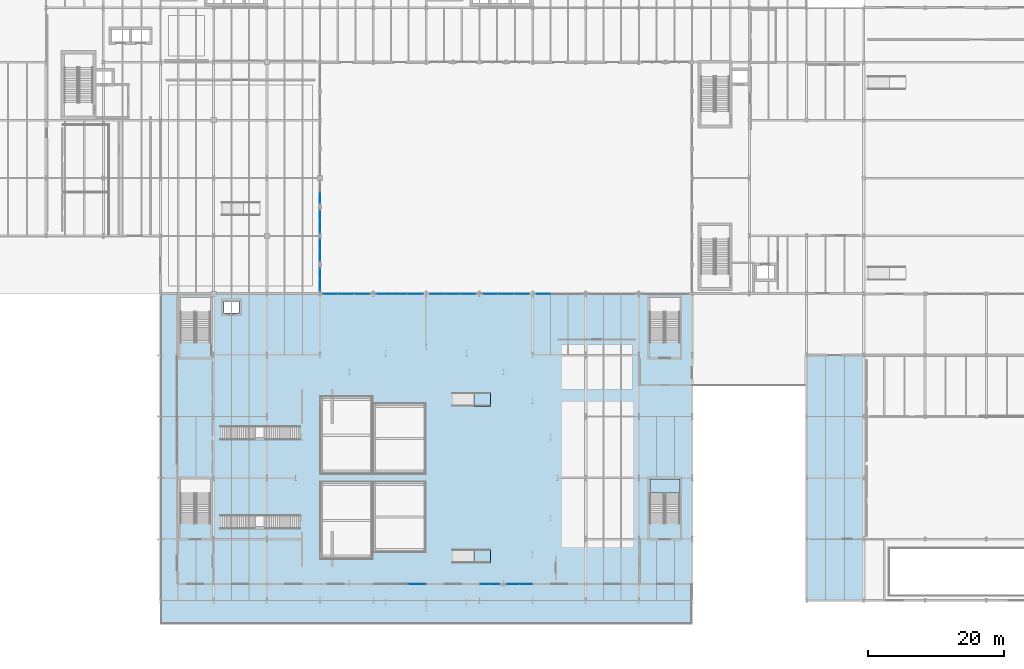
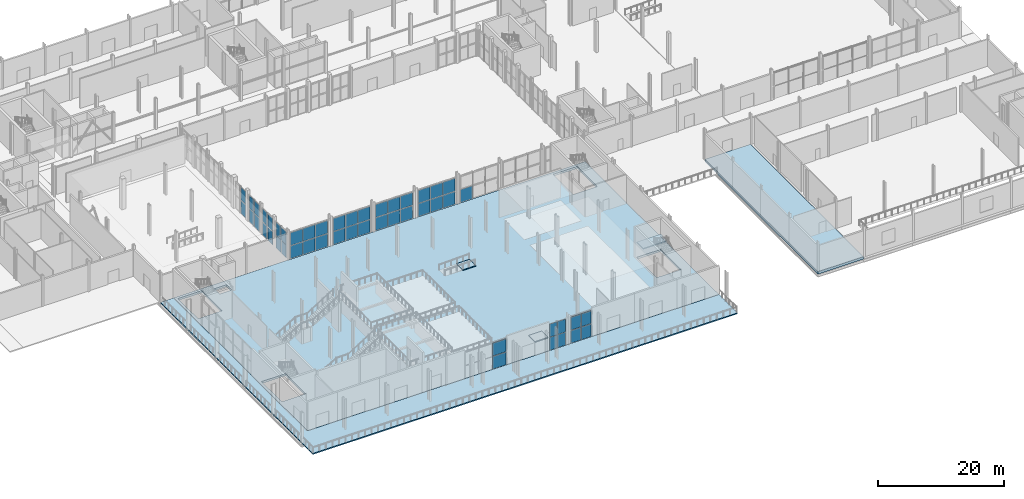
# One storey, part 46 of 84: 49 plates, 6 slabs, 15 elements without a shape of their own.
"""IFC4 building model written with IfcOpenShell, lengths in metres."""

from ifc_helpers import new_model, si_unit, direction, frame, origin, origin_2d, place, context, subcontext, project, spatial, polyline, rectangle, outline, extrude, material, layer, layer_set, type_object, element, aggregate, save


model = new_model("IFC4")

# Units and contexts
model_context = context("Model", 3, precision=1e-05, world=origin(), true_north=direction((0.0, 1.0)))
body_context = subcontext(model_context, "Body", "Model", "MODEL_VIEW")
ifc_project = project(units=[si_unit("LENGTHUNIT", "METRE"), si_unit("AREAUNIT", "SQUARE_METRE"), si_unit("VOLUMEUNIT", "CUBIC_METRE"), si_unit("PLANEANGLEUNIT", "RADIAN"), si_unit("MASSUNIT", "GRAM", prefix="KILO")], contexts=[model_context])

# Site, building, storey
site_placement = place(None, origin())
site = spatial("IfcSite", under=ifc_project, at=site_placement, CompositionType="ELEMENT")
building_placement = place(site_placement, origin())
building = spatial("IfcBuilding", under=site, at=building_placement, Name="Sefraquen Railside Congress Hotel", CompositionType="ELEMENT")
storey_placement = place(building_placement, origin())
storey = spatial("IfcBuildingStorey", under=building, at=storey_placement, Name="L00", CompositionType="ELEMENT", Elevation=0.0)

# Curtain wall, plate
ifc_material_1 = material(Name="Thermally broken anodised aluminium and low-E double glazing", Category="aluminium")
ifc_layer_1 = layer(ifc_material_1, 0.199951171875)
ifc_layer_set_1 = layer_set([ifc_layer_1], Name="Thermally broken anodised aluminium and low-E double glazing")
curtain_wall_type_1 = type_object("IfcCurtainWallType", Name="TCW-UCW-01", PredefinedType="USERDEFINED", material=ifc_layer_set_1)
curtain_wall_1_placement = place(storey_placement, origin())
curtain_wall_1 = element("IfcCurtainWall", 1, at=curtain_wall_1_placement, inside=storey, type_object=curtain_wall_type_1, Name="Congress arcade curtain wall UCW-01", ObjectType="UNITISED CURTAIN WALL", PredefinedType="USERDEFINED")
ifc_material_2 = material(Name="Solar-control low-E double glazing", Category="glass")
ifc_layer_2 = layer(ifc_material_2, 0.02392578125)
ifc_layer_set_2 = layer_set([ifc_layer_2], Name="Solar-control low-E double glazing")
plate_type_1 = type_object("IfcPlateType", Name="TP-CWP-01", PredefinedType="CURTAIN_PANEL", material=ifc_layer_set_2)
plate_1_placement = place(storey_placement, frame((62.873291015625, 11.39990234375, 0.0400390625), z_axis=(0.0, 0.0, 1.0), x_axis=(1.0, 0.0, 0.0)))
plate_1 = element("IfcPlate", 2, at=plate_1_placement, type_object=plate_type_1, Name="CW-L00-001 panel 1.3", PredefinedType="CURTAIN_PANEL", context=body_context, shape_type="SweptSolid", body=[
    extrude(rectangle(XDim=2.4833984375, YDim=0.02392578125, at=origin_2d()), origin(), (0.0, 0.0, 1.0), 2.4951171875),
])

# Curtain wall, plates
ifc_layer_3 = layer(ifc_material_1, 0.199951171875)
ifc_layer_set_3 = layer_set([ifc_layer_3], Name="Thermally broken anodised aluminium and low-E double glazing")
curtain_wall_type_2 = type_object("IfcCurtainWallType", Name="TCW-UCW-02", PredefinedType="USERDEFINED", material=ifc_layer_set_3)
curtain_wall_2_placement = place(storey_placement, origin())
curtain_wall_2 = element("IfcCurtainWall", 3, at=curtain_wall_2_placement, inside=storey, type_object=curtain_wall_type_2, Name="Congress arcade curtain wall UCW-02", ObjectType="UNITISED CURTAIN WALL", PredefinedType="USERDEFINED")
plate_2_placement = place(storey_placement, frame((72.781494140625, 11.39990234375, 0.0400390625), z_axis=(0.0, 0.0, 1.0), x_axis=(1.0, 0.0, 0.0)))
plate_2 = element("IfcPlate", 4, at=plate_2_placement, type_object=plate_type_1, Name="CW-L00-002 panel 1.1", PredefinedType="CURTAIN_PANEL", context=body_context, shape_type="SweptSolid", body=[
    extrude(rectangle(XDim=1.392578125, YDim=0.02392578125, at=origin_2d()), origin(), (0.0, 0.0, 1.0), 2.4951171875),
])
plate_3_placement = place(storey_placement, frame((74.26416015625, 11.39990234375, 0.0400390625), z_axis=(0.0, 0.0, 1.0), x_axis=(1.0, 0.0, 0.0)))
plate_3 = element("IfcPlate", 5, at=plate_3_placement, type_object=plate_type_1, Name="CW-L00-002 panel 1.2", PredefinedType="CURTAIN_PANEL", context=body_context, shape_type="SweptSolid", body=[
    extrude(rectangle(XDim=1.392578125, YDim=0.02392578125, at=origin_2d()), origin(), (0.0, 0.0, 1.0), 2.4951171875),
])

curtain_wall_3_placement = place(storey_placement, origin())
curtain_wall_3 = element("IfcCurtainWall", 6, at=curtain_wall_3_placement, inside=storey, type_object=curtain_wall_type_2, Name="Congress arcade curtain wall UCW-02 bay 2", ObjectType="UNITISED CURTAIN WALL", PredefinedType="USERDEFINED")
plate_4_placement = place(storey_placement, frame((76.9140625, 11.39990234375, 0.0400390625), z_axis=(0.0, 0.0, 1.0), x_axis=(1.0, 0.0, 0.0)))
plate_4 = element("IfcPlate", 7, at=plate_4_placement, type_object=plate_type_1, Name="CW-L00-002-S2 panel 1.1", PredefinedType="CURTAIN_PANEL", context=body_context, shape_type="SweptSolid", body=[
    extrude(rectangle(XDim=1.80712890625, YDim=0.02392578125, at=origin_2d()), origin(), (0.0, 0.0, 1.0), 2.4951171875),
])
plate_5_placement = place(storey_placement, frame((78.811279296875, 11.39990234375, 0.0400390625), z_axis=(0.0, 0.0, 1.0), x_axis=(1.0, 0.0, 0.0)))
plate_5 = element("IfcPlate", 8, at=plate_5_placement, type_object=plate_type_1, Name="CW-L00-002-S2 panel 1.2", PredefinedType="CURTAIN_PANEL", context=body_context, shape_type="SweptSolid", body=[
    extrude(rectangle(XDim=1.80712890625, YDim=0.02392578125, at=origin_2d()), origin(), (0.0, 0.0, 1.0), 2.4951171875),
])

ifc_layer_4 = layer(ifc_material_1, 0.199951171875)
ifc_layer_set_4 = layer_set([ifc_layer_4], Name="Thermally broken anodised aluminium and low-E double glazing")
curtain_wall_type_3 = type_object("IfcCurtainWallType", Name="TCW-UCW-06", PredefinedType="USERDEFINED", material=ifc_layer_set_4)
curtain_wall_4_placement = place(storey_placement, origin())
curtain_wall_4 = element("IfcCurtainWall", 9, at=curtain_wall_4_placement, inside=storey, type_object=curtain_wall_type_3, Name="Congress courtyard north curtain wall L00-1", ObjectType="UNITISED CURTAIN WALL", PredefinedType="USERDEFINED")
plate_6_placement = place(storey_placement, frame((50.186767578125, 54.0, 0.0400390625), z_axis=(0.0, 0.0, 1.0), x_axis=(1.0, 0.0, 0.0)))
plate_6 = element("IfcPlate", 10, at=plate_6_placement, type_object=plate_type_1, Name="CW-L00-006 panel 1.1", PredefinedType="CURTAIN_PANEL", context=body_context, shape_type="SweptSolid", body=[
    extrude(rectangle(XDim=2.203369140625, YDim=0.02392578125, at=origin_2d()), origin(), (0.0, 0.0, 1.0), 2.4951171875),
])
plate_7_placement = place(storey_placement, frame((52.47998046875, 54.0, 0.0400390625), z_axis=(0.0, 0.0, 1.0), x_axis=(1.0, 0.0, 0.0)))
plate_7 = element("IfcPlate", 11, at=plate_7_placement, type_object=plate_type_1, Name="CW-L00-006 panel 1.2", PredefinedType="CURTAIN_PANEL", context=body_context, shape_type="SweptSolid", body=[
    extrude(rectangle(XDim=2.203369140625, YDim=0.02392578125, at=origin_2d()), origin(), (0.0, 0.0, 1.0), 2.4951171875),
])
plate_8_placement = place(storey_placement, frame((54.773193359375, 54.0, 0.0400390625), z_axis=(0.0, 0.0, 1.0), x_axis=(1.0, 0.0, 0.0)))
plate_8 = element("IfcPlate", 12, at=plate_8_placement, type_object=plate_type_1, Name="CW-L00-006 panel 1.3", PredefinedType="CURTAIN_PANEL", context=body_context, shape_type="SweptSolid", body=[
    extrude(rectangle(XDim=2.203369140625, YDim=0.02392578125, at=origin_2d()), origin(), (0.0, 0.0, 1.0), 2.4951171875),
])

curtain_wall_5_placement = place(storey_placement, origin())
curtain_wall_5 = element("IfcCurtainWall", 13, at=curtain_wall_5_placement, inside=storey, type_object=curtain_wall_type_3, Name="Congress courtyard north curtain wall L00-1 bay 2", ObjectType="UNITISED CURTAIN WALL", PredefinedType="USERDEFINED")
plate_9_placement = place(storey_placement, frame((58.026611328125, 54.0, 0.0400390625), z_axis=(0.0, 0.0, 1.0), x_axis=(1.0, 0.0, 0.0)))
plate_9 = element("IfcPlate", 14, at=plate_9_placement, type_object=plate_type_1, Name="CW-L00-006-S2 panel 1.1", PredefinedType="CURTAIN_PANEL", context=body_context, shape_type="SweptSolid", body=[
    extrude(rectangle(XDim=2.203369140625, YDim=0.02392578125, at=origin_2d()), origin(), (0.0, 0.0, 1.0), 2.4951171875),
])
plate_10_placement = place(storey_placement, frame((60.320068359375, 54.0, 0.0400390625), z_axis=(0.0, 0.0, 1.0), x_axis=(1.0, 0.0, 0.0)))
plate_10 = element("IfcPlate", 15, at=plate_10_placement, type_object=plate_type_1, Name="CW-L00-006-S2 panel 1.2", PredefinedType="CURTAIN_PANEL", context=body_context, shape_type="SweptSolid", body=[
    extrude(rectangle(XDim=2.203369140625, YDim=0.02392578125, at=origin_2d()), origin(), (0.0, 0.0, 1.0), 2.4951171875),
])
plate_11_placement = place(storey_placement, frame((62.61328125, 54.0, 0.0400390625), z_axis=(0.0, 0.0, 1.0), x_axis=(1.0, 0.0, 0.0)))
plate_11 = element("IfcPlate", 16, at=plate_11_placement, type_object=plate_type_1, Name="CW-L00-006-S2 panel 1.3", PredefinedType="CURTAIN_PANEL", context=body_context, shape_type="SweptSolid", body=[
    extrude(rectangle(XDim=2.203369140625, YDim=0.02392578125, at=origin_2d()), origin(), (0.0, 0.0, 1.0), 2.4951171875),
])

ifc_layer_5 = layer(ifc_material_1, 0.199951171875)
ifc_layer_set_5 = layer_set([ifc_layer_5], Name="Thermally broken anodised aluminium and low-E double glazing")
curtain_wall_type_4 = type_object("IfcCurtainWallType", Name="TCW-UCW-07", PredefinedType="USERDEFINED", material=ifc_layer_set_5)
curtain_wall_6_placement = place(storey_placement, origin())
curtain_wall_6 = element("IfcCurtainWall", 17, at=curtain_wall_6_placement, inside=storey, type_object=curtain_wall_type_4, Name="Congress courtyard north curtain wall L00-2", ObjectType="UNITISED CURTAIN WALL", PredefinedType="USERDEFINED")
plate_12_placement = place(storey_placement, frame((65.78662109375, 54.0, 0.0400390625), z_axis=(0.0, 0.0, 1.0), x_axis=(1.0, 0.0, 0.0)))
plate_12 = element("IfcPlate", 18, at=plate_12_placement, type_object=plate_type_1, Name="CW-L00-007 panel 1.1", PredefinedType="CURTAIN_PANEL", context=body_context, shape_type="SweptSolid", body=[
    extrude(rectangle(XDim=2.203369140625, YDim=0.02392578125, at=origin_2d()), origin(), (0.0, 0.0, 1.0), 2.4951171875),
])
plate_13_placement = place(storey_placement, frame((68.080078125, 54.0, 0.0400390625), z_axis=(0.0, 0.0, 1.0), x_axis=(1.0, 0.0, 0.0)))
plate_13 = element("IfcPlate", 19, at=plate_13_placement, type_object=plate_type_1, Name="CW-L00-007 panel 1.2", PredefinedType="CURTAIN_PANEL", context=body_context, shape_type="SweptSolid", body=[
    extrude(rectangle(XDim=2.203369140625, YDim=0.02392578125, at=origin_2d()), origin(), (0.0, 0.0, 1.0), 2.4951171875),
])
plate_14_placement = place(storey_placement, frame((70.373291015625, 54.0, 0.0400390625), z_axis=(0.0, 0.0, 1.0), x_axis=(1.0, 0.0, 0.0)))
plate_14 = element("IfcPlate", 20, at=plate_14_placement, type_object=plate_type_1, Name="CW-L00-007 panel 1.3", PredefinedType="CURTAIN_PANEL", context=body_context, shape_type="SweptSolid", body=[
    extrude(rectangle(XDim=2.203369140625, YDim=0.02392578125, at=origin_2d()), origin(), (0.0, 0.0, 1.0), 2.4951171875),
])

curtain_wall_7_placement = place(storey_placement, origin())
curtain_wall_7 = element("IfcCurtainWall", 21, at=curtain_wall_7_placement, inside=storey, type_object=curtain_wall_type_4, Name="Congress courtyard north curtain wall L00-2 bay 2", ObjectType="UNITISED CURTAIN WALL", PredefinedType="USERDEFINED")
plate_15_placement = place(storey_placement, frame((73.626708984375, 54.0, 0.0400390625), z_axis=(0.0, 0.0, 1.0), x_axis=(1.0, 0.0, 0.0)))
plate_15 = element("IfcPlate", 22, at=plate_15_placement, type_object=plate_type_1, Name="CW-L00-007-S2 panel 1.1", PredefinedType="CURTAIN_PANEL", context=body_context, shape_type="SweptSolid", body=[
    extrude(rectangle(XDim=2.203369140625, YDim=0.02392578125, at=origin_2d()), origin(), (0.0, 0.0, 1.0), 2.4951171875),
])
plate_16_placement = place(storey_placement, frame((75.919921875, 54.0, 0.0400390625), z_axis=(0.0, 0.0, 1.0), x_axis=(1.0, 0.0, 0.0)))
plate_16 = element("IfcPlate", 23, at=plate_16_placement, type_object=plate_type_1, Name="CW-L00-007-S2 panel 1.2", PredefinedType="CURTAIN_PANEL", context=body_context, shape_type="SweptSolid", body=[
    extrude(rectangle(XDim=2.203369140625, YDim=0.02392578125, at=origin_2d()), origin(), (0.0, 0.0, 1.0), 2.4951171875),
])
plate_17_placement = place(storey_placement, frame((78.21337890625, 54.0, 0.0400390625), z_axis=(0.0, 0.0, 1.0), x_axis=(1.0, 0.0, 0.0)))
plate_17 = element("IfcPlate", 24, at=plate_17_placement, type_object=plate_type_1, Name="CW-L00-007-S2 panel 1.3", PredefinedType="CURTAIN_PANEL", context=body_context, shape_type="SweptSolid", body=[
    extrude(rectangle(XDim=2.203369140625, YDim=0.02392578125, at=origin_2d()), origin(), (0.0, 0.0, 1.0), 2.4951171875),
])

# Curtain wall, plate
ifc_layer_6 = layer(ifc_material_1, 0.199951171875)
ifc_layer_set_6 = layer_set([ifc_layer_6], Name="Thermally broken anodised aluminium and low-E double glazing")
curtain_wall_type_5 = type_object("IfcCurtainWallType", Name="TCW-UCW-08", PredefinedType="USERDEFINED", material=ifc_layer_set_6)
curtain_wall_8_placement = place(storey_placement, origin())
curtain_wall_8 = element("IfcCurtainWall", 25, at=curtain_wall_8_placement, inside=storey, type_object=curtain_wall_type_5, Name="Congress courtyard north curtain wall L00-3", ObjectType="UNITISED CURTAIN WALL", PredefinedType="USERDEFINED")
plate_18_placement = place(storey_placement, frame((81.38671875, 54.0, 0.0400390625), z_axis=(0.0, 0.0, 1.0), x_axis=(1.0, 0.0, 0.0)))
plate_18 = element("IfcPlate", 26, at=plate_18_placement, type_object=plate_type_1, Name="CW-L00-008 panel 1.1", PredefinedType="CURTAIN_PANEL", context=body_context, shape_type="SweptSolid", body=[
    extrude(rectangle(XDim=2.203369140625, YDim=0.02392578125, at=origin_2d()), origin(), (0.0, 0.0, 1.0), 2.4951171875),
])
aggregate(curtain_wall_8, [plate_18])

# Curtain wall, plates
ifc_layer_7 = layer(ifc_material_1, 0.199951171875)
ifc_layer_set_7 = layer_set([ifc_layer_7], Name="Thermally broken anodised aluminium and low-E double glazing")
curtain_wall_type_6 = type_object("IfcCurtainWallType", Name="TCW-UCW-15", PredefinedType="USERDEFINED", material=ifc_layer_set_7)
curtain_wall_9_placement = place(storey_placement, origin())
curtain_wall_9 = element("IfcCurtainWall", 27, at=curtain_wall_9_placement, inside=storey, type_object=curtain_wall_type_6, Name="Courtyard west arcade curtain wall UCW-15", ObjectType="UNITISED CURTAIN WALL", PredefinedType="USERDEFINED")
plate_19_placement = place(storey_placement, frame((48.60009765625, 55.2724609375, 0.0400390625), z_axis=(0.0, 0.0, 1.0), x_axis=(0.0, 1.0, 0.0)))
plate_19 = element("IfcPlate", 28, at=plate_19_placement, type_object=plate_type_1, Name="CW-L00-015 panel 1.1", PredefinedType="CURTAIN_PANEL", context=body_context, shape_type="SweptSolid", body=[
    extrude(rectangle(XDim=1.574951171875, YDim=0.02392578125, at=origin_2d()), origin(), (0.0, 0.0, 1.0), 2.4951171875),
])
plate_20_placement = place(storey_placement, frame((48.60009765625, 56.9375, 0.0400390625), z_axis=(0.0, 0.0, 1.0), x_axis=(0.0, 1.0, 0.0)))
plate_20 = element("IfcPlate", 29, at=plate_20_placement, type_object=plate_type_1, Name="CW-L00-015 panel 1.2", PredefinedType="CURTAIN_PANEL", context=body_context, shape_type="SweptSolid", body=[
    extrude(rectangle(XDim=1.574951171875, YDim=0.02392578125, at=origin_2d()), origin(), (0.0, 0.0, 1.0), 2.4951171875),
])

curtain_wall_10_placement = place(storey_placement, origin())
curtain_wall_10 = element("IfcCurtainWall", 30, at=curtain_wall_10_placement, inside=storey, type_object=curtain_wall_type_6, Name="Courtyard west arcade curtain wall UCW-15 bay 2", ObjectType="UNITISED CURTAIN WALL", PredefinedType="USERDEFINED")
plate_21_placement = place(storey_placement, frame((48.60009765625, 59.5625, 0.0400390625), z_axis=(0.0, 0.0, 1.0), x_axis=(0.0, 1.0, 0.0)))
plate_21 = element("IfcPlate", 31, at=plate_21_placement, type_object=plate_type_1, Name="CW-L00-015-S2 panel 1.1", PredefinedType="CURTAIN_PANEL", context=body_context, shape_type="SweptSolid", body=[
    extrude(rectangle(XDim=1.574951171875, YDim=0.02392578125, at=origin_2d()), origin(), (0.0, 0.0, 1.0), 2.4951171875),
])
plate_22_placement = place(storey_placement, frame((48.60009765625, 61.2275390625, 0.0400390625), z_axis=(0.0, 0.0, 1.0), x_axis=(0.0, 1.0, 0.0)))
plate_22 = element("IfcPlate", 32, at=plate_22_placement, type_object=plate_type_1, Name="CW-L00-015-S2 panel 1.2", PredefinedType="CURTAIN_PANEL", context=body_context, shape_type="SweptSolid", body=[
    extrude(rectangle(XDim=1.574951171875, YDim=0.02392578125, at=origin_2d()), origin(), (0.0, 0.0, 1.0), 2.4951171875),
])

ifc_layer_8 = layer(ifc_material_1, 0.199951171875)
ifc_layer_set_8 = layer_set([ifc_layer_8], Name="Thermally broken anodised aluminium and low-E double glazing")
curtain_wall_type_7 = type_object("IfcCurtainWallType", Name="TCW-UCW-17", PredefinedType="USERDEFINED", material=ifc_layer_set_8)
curtain_wall_11_placement = place(storey_placement, origin())
curtain_wall_11 = element("IfcCurtainWall", 33, at=curtain_wall_11_placement, inside=storey, type_object=curtain_wall_type_7, Name="Courtyard west arcade curtain wall UCW-17", ObjectType="UNITISED CURTAIN WALL", PredefinedType="USERDEFINED")
plate_23_placement = place(storey_placement, frame((48.60009765625, 63.7724609375, 0.0400390625), z_axis=(0.0, 0.0, 1.0), x_axis=(0.0, 1.0, 0.0)))
plate_23 = element("IfcPlate", 34, at=plate_23_placement, type_object=plate_type_1, Name="CW-L00-017 panel 1.1", PredefinedType="CURTAIN_PANEL", context=body_context, shape_type="SweptSolid", body=[
    extrude(rectangle(XDim=1.574951171875, YDim=0.02392578125, at=origin_2d()), origin(), (0.0, 0.0, 1.0), 2.4951171875),
])
plate_24_placement = place(storey_placement, frame((48.60009765625, 65.4375, 0.0400390625), z_axis=(0.0, 0.0, 1.0), x_axis=(0.0, 1.0, 0.0)))
plate_24 = element("IfcPlate", 35, at=plate_24_placement, type_object=plate_type_1, Name="CW-L00-017 panel 1.2", PredefinedType="CURTAIN_PANEL", context=body_context, shape_type="SweptSolid", body=[
    extrude(rectangle(XDim=1.574951171875, YDim=0.02392578125, at=origin_2d()), origin(), (0.0, 0.0, 1.0), 2.4951171875),
])

# Curtain wall, plate
curtain_wall_12_placement = place(storey_placement, origin())
curtain_wall_12 = element("IfcCurtainWall", 36, at=curtain_wall_12_placement, inside=storey, type_object=curtain_wall_type_7, Name="Courtyard west arcade curtain wall UCW-17 bay 2", ObjectType="UNITISED CURTAIN WALL", PredefinedType="USERDEFINED")
plate_25_placement = place(storey_placement, frame((48.60009765625, 68.0625, 0.0400390625), z_axis=(0.0, 0.0, 1.0), x_axis=(0.0, 1.0, 0.0)))
plate_25 = element("IfcPlate", 37, at=plate_25_placement, type_object=plate_type_1, Name="CW-L00-017-S2 panel 1.1", PredefinedType="CURTAIN_PANEL", context=body_context, shape_type="SweptSolid", body=[
    extrude(rectangle(XDim=1.574951171875, YDim=0.02392578125, at=origin_2d()), origin(), (0.0, 0.0, 1.0), 2.4951171875),
])

# Plate
ifc_material_3 = material(Name="Triple acoustic solar-control glazing", Category="glass")
ifc_layer_9 = layer(ifc_material_3, 0.031982421875)
ifc_layer_set_9 = layer_set([ifc_layer_9], Name="Triple acoustic solar-control glazing")
plate_type_2 = type_object("IfcPlateType", Name="TP-CWP-02", PredefinedType="CURTAIN_PANEL", material=ifc_layer_set_9)
plate_26_placement = place(storey_placement, frame((62.873291015625, 11.39990234375, 2.614990234375), z_axis=(0.0, 0.0, 1.0), x_axis=(1.0, 0.0, 0.0)))
plate_26 = element("IfcPlate", 38, at=plate_26_placement, type_object=plate_type_2, Name="CW-L00-001 panel 2.3", PredefinedType="CURTAIN_PANEL", context=body_context, shape_type="SweptSolid", body=[
    extrude(rectangle(XDim=2.4833984375, YDim=0.031982421875, at=origin_2d()), origin(), (0.0, 0.0, 1.0), 2.4951171875),
])

aggregate(curtain_wall_1, [plate_1, plate_26])

plate_27_placement = place(storey_placement, frame((72.781494140625, 11.39990234375, 2.614990234375), z_axis=(0.0, 0.0, 1.0), x_axis=(1.0, 0.0, 0.0)))
plate_27 = element("IfcPlate", 39, at=plate_27_placement, type_object=plate_type_2, Name="CW-L00-002 panel 2.1", PredefinedType="CURTAIN_PANEL", context=body_context, shape_type="SweptSolid", body=[
    extrude(rectangle(XDim=1.392578125, YDim=0.031982421875, at=origin_2d()), origin(), (0.0, 0.0, 1.0), 2.4951171875),
])

plate_28_placement = place(storey_placement, frame((74.26416015625, 11.39990234375, 2.614990234375), z_axis=(0.0, 0.0, 1.0), x_axis=(1.0, 0.0, 0.0)))
plate_28 = element("IfcPlate", 40, at=plate_28_placement, type_object=plate_type_2, Name="CW-L00-002 panel 2.2", PredefinedType="CURTAIN_PANEL", context=body_context, shape_type="SweptSolid", body=[
    extrude(rectangle(XDim=1.392578125, YDim=0.031982421875, at=origin_2d()), origin(), (0.0, 0.0, 1.0), 2.4951171875),
])

aggregate(curtain_wall_2, [plate_2, plate_3, plate_27, plate_28])

plate_29_placement = place(storey_placement, frame((76.9140625, 11.39990234375, 2.614990234375), z_axis=(0.0, 0.0, 1.0), x_axis=(1.0, 0.0, 0.0)))
plate_29 = element("IfcPlate", 41, at=plate_29_placement, type_object=plate_type_2, Name="CW-L00-002-S2 panel 2.1", PredefinedType="CURTAIN_PANEL", context=body_context, shape_type="SweptSolid", body=[
    extrude(rectangle(XDim=1.80712890625, YDim=0.031982421875, at=origin_2d()), origin(), (0.0, 0.0, 1.0), 2.4951171875),
])

plate_30_placement = place(storey_placement, frame((78.811279296875, 11.39990234375, 2.614990234375), z_axis=(0.0, 0.0, 1.0), x_axis=(1.0, 0.0, 0.0)))
plate_30 = element("IfcPlate", 42, at=plate_30_placement, type_object=plate_type_2, Name="CW-L00-002-S2 panel 2.2", PredefinedType="CURTAIN_PANEL", context=body_context, shape_type="SweptSolid", body=[
    extrude(rectangle(XDim=1.80712890625, YDim=0.031982421875, at=origin_2d()), origin(), (0.0, 0.0, 1.0), 2.4951171875),
])

aggregate(curtain_wall_3, [plate_4, plate_5, plate_29, plate_30])

plate_31_placement = place(storey_placement, frame((50.186767578125, 54.0, 2.614990234375), z_axis=(0.0, 0.0, 1.0), x_axis=(1.0, 0.0, 0.0)))
plate_31 = element("IfcPlate", 43, at=plate_31_placement, type_object=plate_type_2, Name="CW-L00-006 panel 2.1", PredefinedType="CURTAIN_PANEL", context=body_context, shape_type="SweptSolid", body=[
    extrude(rectangle(XDim=2.203369140625, YDim=0.031982421875, at=origin_2d()), origin(), (0.0, 0.0, 1.0), 2.4951171875),
])

plate_32_placement = place(storey_placement, frame((52.47998046875, 54.0, 2.614990234375), z_axis=(0.0, 0.0, 1.0), x_axis=(1.0, 0.0, 0.0)))
plate_32 = element("IfcPlate", 44, at=plate_32_placement, type_object=plate_type_2, Name="CW-L00-006 panel 2.2", PredefinedType="CURTAIN_PANEL", context=body_context, shape_type="SweptSolid", body=[
    extrude(rectangle(XDim=2.203369140625, YDim=0.031982421875, at=origin_2d()), origin(), (0.0, 0.0, 1.0), 2.4951171875),
])

plate_33_placement = place(storey_placement, frame((54.773193359375, 54.0, 2.614990234375), z_axis=(0.0, 0.0, 1.0), x_axis=(1.0, 0.0, 0.0)))
plate_33 = element("IfcPlate", 45, at=plate_33_placement, type_object=plate_type_2, Name="CW-L00-006 panel 2.3", PredefinedType="CURTAIN_PANEL", context=body_context, shape_type="SweptSolid", body=[
    extrude(rectangle(XDim=2.203369140625, YDim=0.031982421875, at=origin_2d()), origin(), (0.0, 0.0, 1.0), 2.4951171875),
])

aggregate(curtain_wall_4, [plate_6, plate_7, plate_8, plate_31, plate_32, plate_33])

plate_34_placement = place(storey_placement, frame((58.026611328125, 54.0, 2.614990234375), z_axis=(0.0, 0.0, 1.0), x_axis=(1.0, 0.0, 0.0)))
plate_34 = element("IfcPlate", 46, at=plate_34_placement, type_object=plate_type_2, Name="CW-L00-006-S2 panel 2.1", PredefinedType="CURTAIN_PANEL", context=body_context, shape_type="SweptSolid", body=[
    extrude(rectangle(XDim=2.203369140625, YDim=0.031982421875, at=origin_2d()), origin(), (0.0, 0.0, 1.0), 2.4951171875),
])

plate_35_placement = place(storey_placement, frame((60.320068359375, 54.0, 2.614990234375), z_axis=(0.0, 0.0, 1.0), x_axis=(1.0, 0.0, 0.0)))
plate_35 = element("IfcPlate", 47, at=plate_35_placement, type_object=plate_type_2, Name="CW-L00-006-S2 panel 2.2", PredefinedType="CURTAIN_PANEL", context=body_context, shape_type="SweptSolid", body=[
    extrude(rectangle(XDim=2.203369140625, YDim=0.031982421875, at=origin_2d()), origin(), (0.0, 0.0, 1.0), 2.4951171875),
])

plate_36_placement = place(storey_placement, frame((62.61328125, 54.0, 2.614990234375), z_axis=(0.0, 0.0, 1.0), x_axis=(1.0, 0.0, 0.0)))
plate_36 = element("IfcPlate", 48, at=plate_36_placement, type_object=plate_type_2, Name="CW-L00-006-S2 panel 2.3", PredefinedType="CURTAIN_PANEL", context=body_context, shape_type="SweptSolid", body=[
    extrude(rectangle(XDim=2.203369140625, YDim=0.031982421875, at=origin_2d()), origin(), (0.0, 0.0, 1.0), 2.4951171875),
])

aggregate(curtain_wall_5, [plate_9, plate_10, plate_11, plate_34, plate_35, plate_36])

plate_37_placement = place(storey_placement, frame((65.78662109375, 54.0, 2.614990234375), z_axis=(0.0, 0.0, 1.0), x_axis=(1.0, 0.0, 0.0)))
plate_37 = element("IfcPlate", 49, at=plate_37_placement, type_object=plate_type_2, Name="CW-L00-007 panel 2.1", PredefinedType="CURTAIN_PANEL", context=body_context, shape_type="SweptSolid", body=[
    extrude(rectangle(XDim=2.203369140625, YDim=0.031982421875, at=origin_2d()), origin(), (0.0, 0.0, 1.0), 2.4951171875),
])

plate_38_placement = place(storey_placement, frame((68.080078125, 54.0, 2.614990234375), z_axis=(0.0, 0.0, 1.0), x_axis=(1.0, 0.0, 0.0)))
plate_38 = element("IfcPlate", 50, at=plate_38_placement, type_object=plate_type_2, Name="CW-L00-007 panel 2.2", PredefinedType="CURTAIN_PANEL", context=body_context, shape_type="SweptSolid", body=[
    extrude(rectangle(XDim=2.203369140625, YDim=0.031982421875, at=origin_2d()), origin(), (0.0, 0.0, 1.0), 2.4951171875),
])

plate_39_placement = place(storey_placement, frame((70.373291015625, 54.0, 2.614990234375), z_axis=(0.0, 0.0, 1.0), x_axis=(1.0, 0.0, 0.0)))
plate_39 = element("IfcPlate", 51, at=plate_39_placement, type_object=plate_type_2, Name="CW-L00-007 panel 2.3", PredefinedType="CURTAIN_PANEL", context=body_context, shape_type="SweptSolid", body=[
    extrude(rectangle(XDim=2.203369140625, YDim=0.031982421875, at=origin_2d()), origin(), (0.0, 0.0, 1.0), 2.4951171875),
])

aggregate(curtain_wall_6, [plate_12, plate_13, plate_14, plate_37, plate_38, plate_39])

plate_40_placement = place(storey_placement, frame((73.626708984375, 54.0, 2.614990234375), z_axis=(0.0, 0.0, 1.0), x_axis=(1.0, 0.0, 0.0)))
plate_40 = element("IfcPlate", 52, at=plate_40_placement, type_object=plate_type_2, Name="CW-L00-007-S2 panel 2.1", PredefinedType="CURTAIN_PANEL", context=body_context, shape_type="SweptSolid", body=[
    extrude(rectangle(XDim=2.203369140625, YDim=0.031982421875, at=origin_2d()), origin(), (0.0, 0.0, 1.0), 2.4951171875),
])

plate_41_placement = place(storey_placement, frame((75.919921875, 54.0, 2.614990234375), z_axis=(0.0, 0.0, 1.0), x_axis=(1.0, 0.0, 0.0)))
plate_41 = element("IfcPlate", 53, at=plate_41_placement, type_object=plate_type_2, Name="CW-L00-007-S2 panel 2.2", PredefinedType="CURTAIN_PANEL", context=body_context, shape_type="SweptSolid", body=[
    extrude(rectangle(XDim=2.203369140625, YDim=0.031982421875, at=origin_2d()), origin(), (0.0, 0.0, 1.0), 2.4951171875),
])

plate_42_placement = place(storey_placement, frame((78.21337890625, 54.0, 2.614990234375), z_axis=(0.0, 0.0, 1.0), x_axis=(1.0, 0.0, 0.0)))
plate_42 = element("IfcPlate", 54, at=plate_42_placement, type_object=plate_type_2, Name="CW-L00-007-S2 panel 2.3", PredefinedType="CURTAIN_PANEL", context=body_context, shape_type="SweptSolid", body=[
    extrude(rectangle(XDim=2.203369140625, YDim=0.031982421875, at=origin_2d()), origin(), (0.0, 0.0, 1.0), 2.4951171875),
])

aggregate(curtain_wall_7, [plate_15, plate_16, plate_17, plate_40, plate_41, plate_42])

plate_43_placement = place(storey_placement, frame((48.60009765625, 55.2724609375, 2.614990234375), z_axis=(0.0, 0.0, 1.0), x_axis=(0.0, 1.0, 0.0)))
plate_43 = element("IfcPlate", 55, at=plate_43_placement, type_object=plate_type_2, Name="CW-L00-015 panel 2.1", PredefinedType="CURTAIN_PANEL", context=body_context, shape_type="SweptSolid", body=[
    extrude(rectangle(XDim=1.574951171875, YDim=0.031982421875, at=origin_2d()), origin(), (0.0, 0.0, 1.0), 2.4951171875),
])

plate_44_placement = place(storey_placement, frame((48.60009765625, 56.9375, 2.614990234375), z_axis=(0.0, 0.0, 1.0), x_axis=(0.0, 1.0, 0.0)))
plate_44 = element("IfcPlate", 56, at=plate_44_placement, type_object=plate_type_2, Name="CW-L00-015 panel 2.2", PredefinedType="CURTAIN_PANEL", context=body_context, shape_type="SweptSolid", body=[
    extrude(rectangle(XDim=1.574951171875, YDim=0.031982421875, at=origin_2d()), origin(), (0.0, 0.0, 1.0), 2.4951171875),
])

aggregate(curtain_wall_9, [plate_19, plate_20, plate_43, plate_44])

plate_45_placement = place(storey_placement, frame((48.60009765625, 59.5625, 2.614990234375), z_axis=(0.0, 0.0, 1.0), x_axis=(0.0, 1.0, 0.0)))
plate_45 = element("IfcPlate", 57, at=plate_45_placement, type_object=plate_type_2, Name="CW-L00-015-S2 panel 2.1", PredefinedType="CURTAIN_PANEL", context=body_context, shape_type="SweptSolid", body=[
    extrude(rectangle(XDim=1.574951171875, YDim=0.031982421875, at=origin_2d()), origin(), (0.0, 0.0, 1.0), 2.4951171875),
])

plate_46_placement = place(storey_placement, frame((48.60009765625, 61.2275390625, 2.614990234375), z_axis=(0.0, 0.0, 1.0), x_axis=(0.0, 1.0, 0.0)))
plate_46 = element("IfcPlate", 58, at=plate_46_placement, type_object=plate_type_2, Name="CW-L00-015-S2 panel 2.2", PredefinedType="CURTAIN_PANEL", context=body_context, shape_type="SweptSolid", body=[
    extrude(rectangle(XDim=1.574951171875, YDim=0.031982421875, at=origin_2d()), origin(), (0.0, 0.0, 1.0), 2.4951171875),
])

aggregate(curtain_wall_10, [plate_21, plate_22, plate_45, plate_46])

plate_47_placement = place(storey_placement, frame((48.60009765625, 63.7724609375, 2.614990234375), z_axis=(0.0, 0.0, 1.0), x_axis=(0.0, 1.0, 0.0)))
plate_47 = element("IfcPlate", 59, at=plate_47_placement, type_object=plate_type_2, Name="CW-L00-017 panel 2.1", PredefinedType="CURTAIN_PANEL", context=body_context, shape_type="SweptSolid", body=[
    extrude(rectangle(XDim=1.574951171875, YDim=0.031982421875, at=origin_2d()), origin(), (0.0, 0.0, 1.0), 2.4951171875),
])

plate_48_placement = place(storey_placement, frame((48.60009765625, 65.4375, 2.614990234375), z_axis=(0.0, 0.0, 1.0), x_axis=(0.0, 1.0, 0.0)))
plate_48 = element("IfcPlate", 60, at=plate_48_placement, type_object=plate_type_2, Name="CW-L00-017 panel 2.2", PredefinedType="CURTAIN_PANEL", context=body_context, shape_type="SweptSolid", body=[
    extrude(rectangle(XDim=1.574951171875, YDim=0.031982421875, at=origin_2d()), origin(), (0.0, 0.0, 1.0), 2.4951171875),
])

aggregate(curtain_wall_11, [plate_23, plate_24, plate_47, plate_48])

plate_49_placement = place(storey_placement, frame((48.60009765625, 68.0625, 2.614990234375), z_axis=(0.0, 0.0, 1.0), x_axis=(0.0, 1.0, 0.0)))
plate_49 = element("IfcPlate", 61, at=plate_49_placement, type_object=plate_type_2, Name="CW-L00-017-S2 panel 2.1", PredefinedType="CURTAIN_PANEL", context=body_context, shape_type="SweptSolid", body=[
    extrude(rectangle(XDim=1.574951171875, YDim=0.031982421875, at=origin_2d()), origin(), (0.0, 0.0, 1.0), 2.4951171875),
])

aggregate(curtain_wall_12, [plate_25, plate_49])

# Slabs
ifc_material_4 = material(Name="Concrete C40/50", Category="concrete")
ifc_layer_10 = layer(ifc_material_4, 0.219970703125)
ifc_layer_set_10 = layer_set([ifc_layer_10], Name="Concrete C40/50")
slab_type_1 = type_object("IfcSlabType", Name="TS-FS-220", PredefinedType="FLOOR", material=ifc_layer_set_10)
slab_1_placement = place(storey_placement, frame((0.0, 0.0, -0.219970703125)))
element("IfcSlab", 62, at=slab_1_placement, inside=storey, type_object=slab_type_1, Name="South and West Congress colonnade arrival apron", ObjectType="PAVING", PredefinedType="USERDEFINED", context=body_context, shape_type="SweptSolid", body=[
    extrude(outline(polyline([(25.199951171875, 5.5), (103.199951171875, 5.5), (103.199951171875, 11.39990234375), (27.60009765625, 11.39990234375), (27.60009765625, 53.949951171875), (25.199951171875, 53.949951171875), (25.199951171875, 5.5)])), origin(), (0.0, 0.0, 1.0), 0.219970703125),
])
ifc_layer_11 = layer(ifc_material_4, 0.39990234375)
ifc_layer_set_11 = layer_set([ifc_layer_11], Name="Concrete C40/50")
slab_type_2 = type_object("IfcSlabType", Name="TS-FS-400", PredefinedType="FLOOR", material=ifc_layer_set_11)
slab_2_placement = place(storey_placement, frame((0.0, 0.0, -0.39990234375)))
element("IfcSlab", 63, at=slab_2_placement, inside=storey, type_object=slab_type_2, Name="Congress Hall L00 structural floor slab", PredefinedType="FLOOR", context=body_context, shape_type="SweptSolid", body=[
    extrude(outline(polyline([(27.60009765625, 11.39990234375), (103.199951171875, 11.39990234375), (103.199951171875, 53.949951171875), (27.60009765625, 53.949951171875), (27.60009765625, 11.39990234375)]), holes=[polyline([(28.10009765625, 20.39990234375), (32.5, 20.39990234375), (32.5, 26.840087890625), (28.10009765625, 26.840087890625), (28.10009765625, 20.39990234375)]), polyline([(28.10009765625, 46.989990234375), (32.5, 46.989990234375), (32.5, 53.429931640625), (28.10009765625, 53.429931640625), (28.10009765625, 46.989990234375)]), polyline([(97.0, 20.39990234375), (101.39990234375, 20.39990234375), (101.39990234375, 26.840087890625), (97.0, 26.840087890625), (97.0, 20.39990234375)]), polyline([(97.0, 46.989990234375), (101.39990234375, 46.989990234375), (101.39990234375, 53.429931640625), (97.0, 53.429931640625), (97.0, 46.989990234375)]), polyline([(34.5, 51.199951171875), (36.699951171875, 51.199951171875), (36.699951171875, 52.89990234375), (34.5, 52.89990234375), (34.5, 51.199951171875)])]), origin(), (0.0, 0.0, 1.0), 0.39990234375),
])
ifc_layer_12 = layer(ifc_material_4, 0.5)
ifc_layer_set_12 = layer_set([ifc_layer_12], Name="Concrete C40/50")
slab_type_3 = type_object("IfcSlabType", Name="TS-FS-500", PredefinedType="FLOOR", material=ifc_layer_set_12)
slab_3_placement = place(storey_placement, frame((0.0, 0.0, -0.5)))
element("IfcSlab", 64, at=slab_3_placement, inside=storey, type_object=slab_type_3, Name="Thermal Spa west L00 structural floor slab", PredefinedType="FLOOR", context=body_context, shape_type="SweptSolid", body=[
    extrude(outline(polyline([(120.0, 9.0), (128.35009765625, 9.0), (128.35009765625, 45.0), (120.0, 45.0), (120.0, 9.0)])), origin(), (0.0, 0.0, 1.0), 0.5),
])

# Ramp, slab
ramp_type = type_object("IfcRampType", Name="TRP-PED-01", PredefinedType="STRAIGHT_RUN_RAMP", material=ifc_material_4)
ramp_1_placement = place(storey_placement, origin())
ramp_1 = element("IfcRamp", 65, at=ramp_1_placement, inside=storey, type_object=ramp_type, Name="Accessible 1:20 interior dais ramp RMP-L00-PED-01", PredefinedType="STRAIGHT_RUN_RAMP")
ifc_layer_13 = layer(ifc_material_4, 0.199951171875)
ifc_layer_set_13 = layer_set([ifc_layer_13], Name="Concrete C40/50")
slab_type_4 = type_object("IfcSlabType", Name="TS-LD-200", PredefinedType="LANDING", material=ifc_layer_set_13)
slab_4_placement = place(storey_placement, origin())
slab_4 = element("IfcSlab", 66, at=slab_4_placement, type_object=slab_type_4, Name="Accessible dais landing slab RMP-L00-PED-01", PredefinedType="LANDING", context=body_context, shape_type="SweptSolid", body=[
    extrude(outline(polyline([(71.199951171875, 14.5), (73.60009765625, 14.5), (73.60009765625, 16.5), (71.199951171875, 16.5), (71.199951171875, 14.5)])), origin(), (0.0, 0.0, 1.0), 0.159912109375),
])
aggregate(ramp_1, [slab_4])

ramp_2_placement = place(storey_placement, origin())
ramp_2 = element("IfcRamp", 67, at=ramp_2_placement, inside=storey, type_object=ramp_type, Name="Accessible 1:20 interior dais ramp RMP-L00-PED-02", PredefinedType="STRAIGHT_RUN_RAMP")
slab_5_placement = place(storey_placement, origin())
slab_5 = element("IfcSlab", 68, at=slab_5_placement, type_object=slab_type_4, Name="Accessible dais landing slab RMP-L00-PED-02", PredefinedType="LANDING", context=body_context, shape_type="SweptSolid", body=[
    extrude(outline(polyline([(71.199951171875, 37.5), (73.60009765625, 37.5), (73.60009765625, 39.5), (71.199951171875, 39.5), (71.199951171875, 37.5)])), origin(), (0.0, 0.0, 1.0), 0.159912109375),
])
aggregate(ramp_2, [slab_5])

# Stair, slab
stair_type = type_object("IfcStairType", Name="TST-DOG-210-480", PredefinedType="HALF_TURN_STAIR", material=ifc_material_4)
stair_placement = place(storey_placement, origin())
stair = element("IfcStair", 69, at=stair_placement, inside=storey, type_object=stair_type, Name="L00 Pressurized escape stair ST-C03", PredefinedType="HALF_TURN_STAIR")
slab_6_placement = place(storey_placement, frame((0.0, 0.0, 2.800048828125)))
slab_6 = element("IfcSlab", 70, at=slab_6_placement, type_object=slab_type_4, Name="ST-C03 landing 1", PredefinedType="LANDING", context=body_context, shape_type="SweptSolid", body=[
    extrude(outline(polyline([(101.39990234375, 24.739990234375), (101.39990234375, 26.840087890625), (97.0, 26.840087890625), (97.0, 24.739990234375), (101.39990234375, 24.739990234375)])), origin(), (0.0, 0.0, 1.0), 0.199951171875),
])
aggregate(stair, [slab_6])

save(model, "model.ifc")
